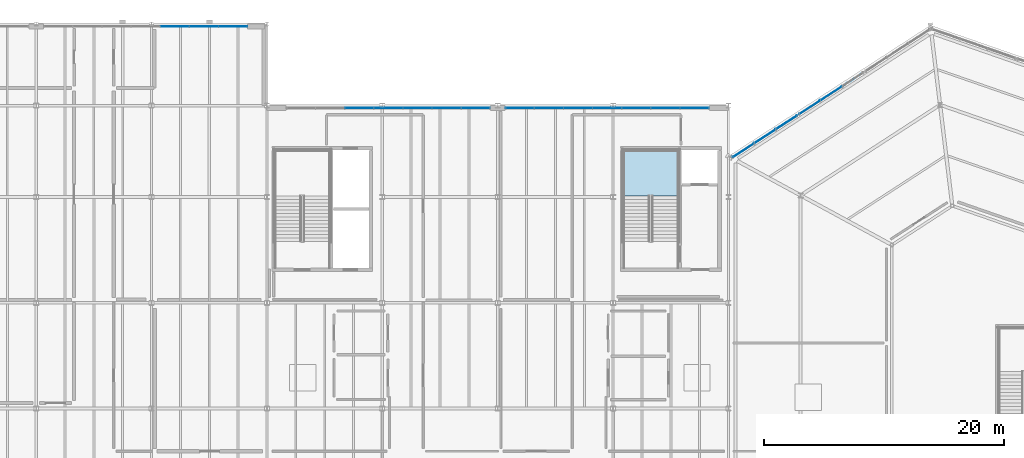
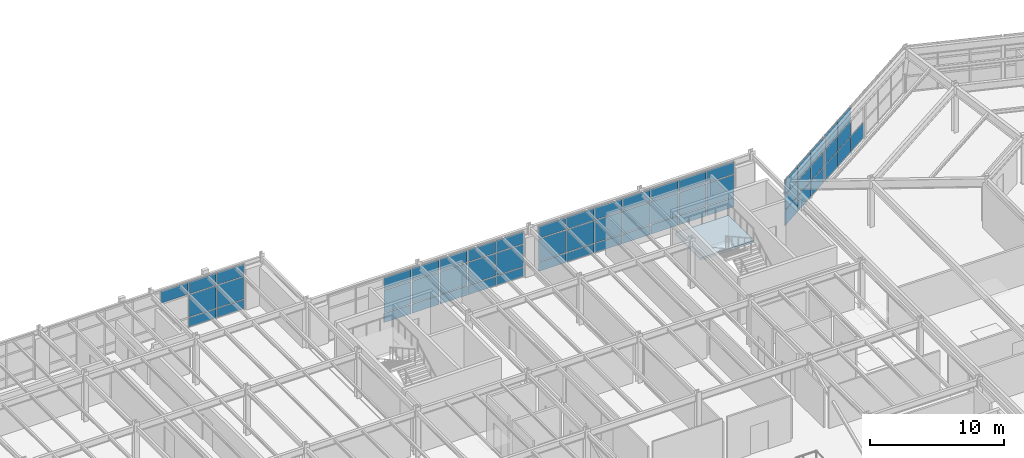
# One storey, part 49 of 77: 59 plates, 1 slab, 6 elements without a shape of their own.
"""IFC4 building model written with IfcOpenShell, lengths in metres."""

import ifcopenshell
import ifcopenshell.guid

model = None  # the IFC model being written
_history = None  # IfcOwnerHistory: only IFC2X3 demands one
_inside = {}  # id of a spatial element -> (the spatial element, [elements in it])
_under = {}  # id of a project, library or spatial element -> (it, [spatial elements below it])
_declared = {}  # id of a project -> (the project, [libraries it declares])
_typed = {}  # id of a type object -> (the type object, [elements of that type])
_made_of = {}  # id of a material, layer set ... -> (it, [elements and type objects made of it])


def new_model(schema):
    """Start an empty IFC model of exactly this schema.

    Asked for "IFC4X3", IfcOpenShell would pick the latest addendum, in which some entities
    have other attributes; the version numbers below select the first issue.
    IFC2X3 requires an IfcOwnerHistory on every rooted entity: one is made here for all.
    """
    global model, _history
    if schema == "IFC4X3":
        model = ifcopenshell.file(schema_version=(4, 3, 0, 0))
    else:
        model = ifcopenshell.file(schema=schema)
    _inside.clear()
    _under.clear()
    _declared.clear()
    _typed.clear()
    _made_of.clear()
    _history = None
    if model.schema == "IFC2X3":
        org = make("IfcOrganization", Name="unknown")
        user = make(
            "IfcPersonAndOrganization",
            ThePerson=make("IfcPerson", FamilyName="unknown"),
            TheOrganization=org,
        )
        app = make(
            "IfcApplication",
            ApplicationDeveloper=org,
            Version="unknown",
            ApplicationFullName="unknown",
            ApplicationIdentifier="unknown",
        )
        _history = make(
            "IfcOwnerHistory",
            OwningUser=user,
            OwningApplication=app,
            ChangeAction="ADDED",
            CreationDate=0,
        )
    return model


def make(cls, **values):
    """One entity of the class cls with the attributes given. An attribute that is None is left unset."""
    return model.create_entity(
        cls, **{name: value for name, value in values.items() if value is not None}
    )


def rooted(cls, **values):
    """An entity with a GlobalId (a new one), such as an element, a storey or a relation."""
    return make(cls, GlobalId=ifcopenshell.guid.new(), OwnerHistory=_history, **values)


def si_unit(unit_type, name, prefix=None):
    """IfcSIUnit, for example si_unit("LENGTHUNIT", "METRE", prefix="MILLI")."""
    return make("IfcSIUnit", UnitType=unit_type, Prefix=prefix, Name=name)


def assignment(units):
    """IfcUnitAssignment: the units of a project."""
    return None if units is None else make("IfcUnitAssignment", Units=units)


def point(xyz):
    """IfcCartesianPoint."""
    return None if xyz is None else make("IfcCartesianPoint", Coordinates=xyz)


def direction(xyz):
    """IfcDirection."""
    return None if xyz is None else make("IfcDirection", DirectionRatios=xyz)


def frame(location, z_axis=None, x_axis=None):
    """IfcAxis2Placement3D, a coordinate frame: its origin and axes. An axis left out is left unset."""
    return make(
        "IfcAxis2Placement3D",
        Location=point(location),
        Axis=direction(z_axis),
        RefDirection=direction(x_axis),
    )


def frame_2d(location, x_axis=None):
    """IfcAxis2Placement2D, a coordinate frame in the plane: its origin and x axis."""
    return make(
        "IfcAxis2Placement2D", Location=point(location), RefDirection=direction(x_axis)
    )


def origin():
    """The frame at (0, 0, 0) with its axes left unset."""
    return frame((0.0, 0.0, 0.0))


def origin_2d():
    """The frame at (0, 0) in the plane with its x axis left unset."""
    return frame_2d((0.0, 0.0))


def place(relative_to, where):
    """IfcLocalPlacement: puts the frame where relative to a parent placement (None: the world)."""
    return make(
        "IfcLocalPlacement", PlacementRelTo=relative_to, RelativePlacement=where
    )


def context(
    kind, dimensions, precision=None, world=None, true_north=None, identifier=None
):
    """IfcGeometricRepresentationContext, for example the 3D "Model" context."""
    return make(
        "IfcGeometricRepresentationContext",
        ContextIdentifier=identifier,
        ContextType=kind,
        CoordinateSpaceDimension=dimensions,
        Precision=precision,
        WorldCoordinateSystem=world,
        TrueNorth=true_north,
    )


def subcontext(parent, identifier, kind, view, scale=None):
    """IfcGeometricRepresentationSubContext, for example "Body" below "Model"."""
    return make(
        "IfcGeometricRepresentationSubContext",
        ContextIdentifier=identifier,
        ContextType=kind,
        ParentContext=parent,
        TargetScale=scale,
        TargetView=view,
    )


def project(units=None, contexts=None):
    """IfcProject with its units and contexts."""
    return rooted(
        "IfcProject",
        Name="project",
        RepresentationContexts=contexts,
        UnitsInContext=assignment(units),
    )


def spatial(cls, under=None, at=None, **own):
    """A site, building, storey or space (cls), placed at a placement, below another one or the project."""
    s = rooted(cls, ObjectPlacement=at, **own)
    if under is not None:
        _under.setdefault(under.id(), (under, []))[1].append(s)
    return s


def polyline(points):
    """IfcPolyline through the points."""
    return make("IfcPolyline", Points=[point(p) for p in points])


def profile(cls, at=None, kind="AREA", **sizes):
    """A parametric profile (cls). Its sizes go by their IFC names, for example OverallWidth=200.0."""
    return make(cls, ProfileType=kind, Position=at, **sizes)


def rectangle(**sizes):
    """IfcRectangleProfileDef."""
    return profile("IfcRectangleProfileDef", **sizes)


def outline(outer, holes=None, kind="AREA"):
    """IfcArbitraryClosedProfileDef: a profile drawn as a closed curve; with holes, ...WithVoids."""
    if holes is None:
        return make("IfcArbitraryClosedProfileDef", ProfileType=kind, OuterCurve=outer)
    return make(
        "IfcArbitraryProfileDefWithVoids",
        ProfileType=kind,
        OuterCurve=outer,
        InnerCurves=holes,
    )


def extrude(swept, where, along, depth):
    """IfcExtrudedAreaSolid: the profile swept, set in the frame where, extruded along a direction by depth."""
    return make(
        "IfcExtrudedAreaSolid",
        SweptArea=swept,
        Position=where,
        ExtrudedDirection=direction(along),
        Depth=depth,
    )


def shape(context_of_items, identifier, shape_type, items):
    """IfcShapeRepresentation: the items that make up one representation, for example the "Body"."""
    return make(
        "IfcShapeRepresentation",
        ContextOfItems=context_of_items,
        RepresentationIdentifier=identifier,
        RepresentationType=shape_type,
        Items=items,
    )


def material(Name=None, Category=None):
    """IfcMaterial."""
    return make("IfcMaterial", Name=Name, Category=Category)


def layer(
    of_material, thickness, ventilated=None, Name=None, Category=None, Priority=None
):
    """IfcMaterialLayer: one layer of a wall or slab, of a material (None: an air gap)."""
    return make(
        "IfcMaterialLayer",
        Material=of_material,
        LayerThickness=thickness,
        IsVentilated=ventilated,
        Name=Name,
        Category=Category,
        Priority=Priority,
    )


def layer_set(layers, Name=None):
    """IfcMaterialLayerSet."""
    return make("IfcMaterialLayerSet", MaterialLayers=layers, LayerSetName=Name)


def made_of(thing, what):
    """Note that an element or type object is made of a material, layer set ...; save() writes the relation."""
    if what is not None:
        _made_of.setdefault(what.id(), (what, []))[1].append(thing)
    return thing


def type_object(cls, material=None, **own):
    """A type object (cls), such as IfcWallType, which elements share."""
    return made_of(rooted(cls, **own), material)


def element(
    cls,
    number,
    at=None,
    inside=None,
    cuts=None,
    type_object=None,
    material=None,
    context=None,
    identifier="Body",
    shape_type=None,
    held_by="IfcProductDefinitionShape",
    body=None,
    shapes=None,
    **own,
):
    """One element of the class cls, such as IfcWall. Its Tag is "e" and its number.

    at: its placement. inside: the storey or other place that contains it. cuts: it is an
    opening in that element (IfcRelVoidsElement). A single representation is given by context,
    identifier, shape_type and body (its items); several are given by shapes. held_by: the class
    of the entity that holds the representations. save() writes the other relations.
    """
    e = rooted(cls, Tag="e%d" % number, ObjectPlacement=at, **own)
    if body is not None:
        shapes = [shape(context, identifier, shape_type, body)]
    if shapes is not None:
        e.Representation = make(held_by, Representations=shapes)
    if inside is not None:
        _inside.setdefault(inside.id(), (inside, []))[1].append(e)
    if cuts is not None:
        rooted(
            "IfcRelVoidsElement", RelatingBuildingElement=cuts, RelatedOpeningElement=e
        )
    if type_object is not None:
        _typed.setdefault(type_object.id(), (type_object, []))[1].append(e)
    return made_of(e, material)


def aggregate(whole, parts):
    """IfcRelAggregates: a whole, such as a stair, and the parts it consists of."""
    return rooted("IfcRelAggregates", RelatingObject=whole, RelatedObjects=parts)


def save(model, path):
    """Write the relations noted so far, then the file.

    IfcRelAggregates (storeys below a building ...), IfcRelContainedInSpatialStructure (elements
    in a storey), IfcRelDefinesByType, IfcRelAssociatesMaterial and IfcRelDeclares: one each for
    every whole, place, type object, material and project.
    """
    for whole, parts in _under.values():
        aggregate(whole, parts)
    for where, things in _inside.values():
        rooted(
            "IfcRelContainedInSpatialStructure",
            RelatedElements=things,
            RelatingStructure=where,
        )
    for kind, things in _typed.values():
        rooted("IfcRelDefinesByType", RelatedObjects=things, RelatingType=kind)
    for what, things in _made_of.values():
        rooted("IfcRelAssociatesMaterial", RelatedObjects=things, RelatingMaterial=what)
    for by, libraries in _declared.values():
        rooted("IfcRelDeclares", RelatingContext=by, RelatedDefinitions=libraries)
    model.write(path)


model = new_model("IFC4")

# Units and contexts
model_context = context("Model", 3, precision=1e-05, world=origin(), true_north=direction((0.0, 1.0)))
body_context = subcontext(model_context, "Body", "Model", "MODEL_VIEW")
ifc_project = project(units=[si_unit("LENGTHUNIT", "METRE"), si_unit("AREAUNIT", "SQUARE_METRE"), si_unit("VOLUMEUNIT", "CUBIC_METRE"), si_unit("PLANEANGLEUNIT", "RADIAN"), si_unit("MASSUNIT", "GRAM", prefix="KILO")], contexts=[model_context])

# Site, building, storey
site_placement = place(None, origin())
site = spatial("IfcSite", under=ifc_project, at=site_placement, CompositionType="ELEMENT")
building_placement = place(site_placement, origin())
building = spatial("IfcBuilding", under=site, at=building_placement, Name="Sarnbrook Museum", CompositionType="ELEMENT")
storey_placement = place(building_placement, frame((0.0, 0.0, 5.60009765625)))
storey = spatial("IfcBuildingStorey", under=building, at=storey_placement, Name="L01", CompositionType="ELEMENT", Elevation=5.60009765625)

# Curtain wall, plates
ifc_material_1 = material(Name="Thermally Broken Anodised Aluminium 6063-T6", Category="aluminium")
curtain_wall_type_1 = type_object("IfcCurtainWallType", Name="CurtainWall_CrystalFacet", PredefinedType="NOTDEFINED", material=ifc_material_1)
curtain_wall_1_placement = place(storey_placement, origin())
curtain_wall_1 = element("IfcCurtainWall", 1, at=curtain_wall_1_placement, inside=storey, type_object=curtain_wall_type_1, Name="Crystal Hall Facet Curtain Wall L01-F6.2", PredefinedType="NOTDEFINED")
ifc_material_2 = material(Name="Double-Glazed Low-Iron Laminated Safety Glass", Category="glass")
ifc_layer_1 = layer(ifc_material_2, 0.031982421875)
ifc_layer_set_1 = layer_set([ifc_layer_1], Name="Double-Glazed Low-Iron Laminated Safety Glass")
plate_type_1 = type_object("IfcPlateType", Name="CW_GlazedPanel_32", PredefinedType="CURTAIN_PANEL", material=ifc_layer_set_1)
plate_1_placement = place(storey_placement, frame((127.7626953125, 109.413330078125, 2.14990234375), z_axis=(-0.544286708272, 0.838899266419, 0.0), x_axis=(-0.838899266419, -0.544286708272, 0.0)))
plate_1 = element("IfcPlate", 2, at=plate_1_placement, type_object=plate_type_1, Name="Crystal Hall Facet Curtain Wall L01-F6.2 Glazed Panel 2-2", PredefinedType="CURTAIN_PANEL", context=body_context, shape_type="SweptSolid", body=[
    extrude(rectangle(XDim=2.064697265625, YDim=1.330078125, at=origin_2d()), origin(), (0.0, 0.0, 1.0), 0.031982421875),
])
plate_2_placement = place(storey_placement, frame((127.7626953125, 109.413330078125, 3.544921875), z_axis=(-0.544286708272, 0.838899266419, 0.0), x_axis=(-0.838899266419, -0.544286708272, 0.0)))
plate_2 = element("IfcPlate", 3, at=plate_2_placement, type_object=plate_type_1, Name="Crystal Hall Facet Curtain Wall L01-F6.2 Glazed Panel 2-3", PredefinedType="CURTAIN_PANEL", context=body_context, shape_type="SweptSolid", body=[
    extrude(rectangle(XDim=2.064697265625, YDim=1.320068359375, at=origin_2d()), origin(), (0.0, 0.0, 1.0), 0.031982421875),
])
plate_3_placement = place(storey_placement, frame((125.967529296875, 108.248779296875, 2.14990234375), z_axis=(-0.544286708272, 0.838899266419, 0.0), x_axis=(-0.838899266419, -0.544286708272, 0.0)))
plate_3 = element("IfcPlate", 4, at=plate_3_placement, type_object=plate_type_1, Name="Crystal Hall Facet Curtain Wall L01-F6.2 Glazed Panel 3-2", PredefinedType="CURTAIN_PANEL", context=body_context, shape_type="SweptSolid", body=[
    extrude(rectangle(XDim=2.064697265625, YDim=1.330078125, at=origin_2d()), origin(), (0.0, 0.0, 1.0), 0.031982421875),
])
plate_4_placement = place(storey_placement, frame((125.967529296875, 108.248779296875, 3.544921875), z_axis=(-0.544286708272, 0.838899266419, 0.0), x_axis=(-0.838899266419, -0.544286708272, 0.0)))
plate_4 = element("IfcPlate", 5, at=plate_4_placement, type_object=plate_type_1, Name="Crystal Hall Facet Curtain Wall L01-F6.2 Glazed Panel 3-3", PredefinedType="CURTAIN_PANEL", context=body_context, shape_type="SweptSolid", body=[
    extrude(rectangle(XDim=2.064697265625, YDim=1.320068359375, at=origin_2d()), origin(), (0.0, 0.0, 1.0), 0.031982421875),
])

curtain_wall_2_placement = place(storey_placement, origin())
curtain_wall_2 = element("IfcCurtainWall", 6, at=curtain_wall_2_placement, inside=storey, type_object=curtain_wall_type_1, Name="Crystal Hall Facet Curtain Wall L01-F6.3", PredefinedType="NOTDEFINED")
plate_5_placement = place(storey_placement, frame((124.038330078125, 106.996826171875, 2.14990234375), z_axis=(-0.544286708272, 0.838899266419, 0.0), x_axis=(-0.838899266419, -0.544286708272, 0.0)))
plate_5 = element("IfcPlate", 7, at=plate_5_placement, type_object=plate_type_1, Name="Crystal Hall Facet Curtain Wall L01-F6.3 Glazed Panel 1-2", PredefinedType="CURTAIN_PANEL", context=body_context, shape_type="SweptSolid", body=[
    extrude(rectangle(XDim=2.064697265625, YDim=1.330078125, at=origin_2d()), origin(), (0.0, 0.0, 1.0), 0.031982421875),
])
plate_6_placement = place(storey_placement, frame((124.038330078125, 106.996826171875, 3.544921875), z_axis=(-0.544286708272, 0.838899266419, 0.0), x_axis=(-0.838899266419, -0.544286708272, 0.0)))
plate_6 = element("IfcPlate", 8, at=plate_6_placement, type_object=plate_type_1, Name="Crystal Hall Facet Curtain Wall L01-F6.3 Glazed Panel 1-3", PredefinedType="CURTAIN_PANEL", context=body_context, shape_type="SweptSolid", body=[
    extrude(rectangle(XDim=2.064697265625, YDim=1.320068359375, at=origin_2d()), origin(), (0.0, 0.0, 1.0), 0.031982421875),
])
plate_7_placement = place(storey_placement, frame((122.243408203125, 105.832275390625, 2.14990234375), z_axis=(-0.544286708272, 0.838899266419, 0.0), x_axis=(-0.838899266419, -0.544286708272, 0.0)))
plate_7 = element("IfcPlate", 9, at=plate_7_placement, type_object=plate_type_1, Name="Crystal Hall Facet Curtain Wall L01-F6.3 Glazed Panel 2-2", PredefinedType="CURTAIN_PANEL", context=body_context, shape_type="SweptSolid", body=[
    extrude(rectangle(XDim=2.064697265625, YDim=1.330078125, at=origin_2d()), origin(), (0.0, 0.0, 1.0), 0.031982421875),
])
plate_8_placement = place(storey_placement, frame((122.243408203125, 105.832275390625, 3.544921875), z_axis=(-0.544286708272, 0.838899266419, 0.0), x_axis=(-0.838899266419, -0.544286708272, 0.0)))
plate_8 = element("IfcPlate", 10, at=plate_8_placement, type_object=plate_type_1, Name="Crystal Hall Facet Curtain Wall L01-F6.3 Glazed Panel 2-3", PredefinedType="CURTAIN_PANEL", context=body_context, shape_type="SweptSolid", body=[
    extrude(rectangle(XDim=2.064697265625, YDim=1.320068359375, at=origin_2d()), origin(), (0.0, 0.0, 1.0), 0.031982421875),
])
plate_9_placement = place(storey_placement, frame((120.4482421875, 104.66748046875, 2.14990234375), z_axis=(-0.544286708272, 0.838899266419, 0.0), x_axis=(-0.838899266419, -0.544286708272, 0.0)))
plate_9 = element("IfcPlate", 11, at=plate_9_placement, type_object=plate_type_1, Name="Crystal Hall Facet Curtain Wall L01-F6.3 Glazed Panel 3-2", PredefinedType="CURTAIN_PANEL", context=body_context, shape_type="SweptSolid", body=[
    extrude(rectangle(XDim=2.064697265625, YDim=1.330078125, at=origin_2d()), origin(), (0.0, 0.0, 1.0), 0.031982421875),
])
plate_10_placement = place(storey_placement, frame((120.4482421875, 104.66748046875, 3.544921875), z_axis=(-0.544286708272, 0.838899266419, 0.0), x_axis=(-0.838899266419, -0.544286708272, 0.0)))
plate_10 = element("IfcPlate", 12, at=plate_10_placement, type_object=plate_type_1, Name="Crystal Hall Facet Curtain Wall L01-F6.3 Glazed Panel 3-3", PredefinedType="CURTAIN_PANEL", context=body_context, shape_type="SweptSolid", body=[
    extrude(rectangle(XDim=2.064697265625, YDim=1.320068359375, at=origin_2d()), origin(), (0.0, 0.0, 1.0), 0.031982421875),
])

curtain_wall_type_2 = type_object("IfcCurtainWallType", Name="CurtainWall_GalleryRibbon", PredefinedType="NOTDEFINED", material=ifc_material_1)
curtain_wall_3_placement = place(storey_placement, origin())
curtain_wall_3 = element("IfcCurtainWall", 13, at=curtain_wall_3_placement, inside=storey, type_object=curtain_wall_type_2, Name="Gallery Ribbon Curtain Wall L01-6.1", PredefinedType="NOTDEFINED")
plate_11_placement = place(storey_placement, frame((116.36865234375, 108.18212890625, 1.949951171875), z_axis=(0.0, 1.0, 0.0), x_axis=(-1.0, 0.0, 0.0)))
plate_11 = element("IfcPlate", 14, at=plate_11_placement, type_object=plate_type_1, Name="Gallery Ribbon Curtain Wall L01-6.1 Glazed Panel 1-2", PredefinedType="CURTAIN_PANEL", context=body_context, shape_type="SweptSolid", body=[
    extrude(rectangle(XDim=2.347900390625, YDim=2.030029296875, at=origin_2d()), origin(), (0.0, 0.0, 1.0), 0.031982421875),
])
plate_12_placement = place(storey_placement, frame((116.36865234375, 108.18212890625, 3.579833984375), z_axis=(0.0, 1.0, 0.0), x_axis=(-1.0, 0.0, 0.0)))
plate_12 = element("IfcPlate", 15, at=plate_12_placement, type_object=plate_type_1, Name="Gallery Ribbon Curtain Wall L01-6.1 Glazed Panel 1-3", PredefinedType="CURTAIN_PANEL", context=body_context, shape_type="SweptSolid", body=[
    extrude(rectangle(XDim=2.347900390625, YDim=1.090087890625, at=origin_2d()), origin(), (0.0, 0.0, 1.0), 0.031982421875),
])
plate_13_placement = place(storey_placement, frame((113.94580078125, 108.18212890625, 1.949951171875), z_axis=(0.0, 1.0, 0.0), x_axis=(-1.0, 0.0, 0.0)))
plate_13 = element("IfcPlate", 16, at=plate_13_placement, type_object=plate_type_1, Name="Gallery Ribbon Curtain Wall L01-6.1 Glazed Panel 2-2", PredefinedType="CURTAIN_PANEL", context=body_context, shape_type="SweptSolid", body=[
    extrude(rectangle(XDim=2.347900390625, YDim=2.030029296875, at=origin_2d()), origin(), (0.0, 0.0, 1.0), 0.031982421875),
])
plate_14_placement = place(storey_placement, frame((113.94580078125, 108.18212890625, 3.579833984375), z_axis=(0.0, 1.0, 0.0), x_axis=(-1.0, 0.0, 0.0)))
plate_14 = element("IfcPlate", 17, at=plate_14_placement, type_object=plate_type_1, Name="Gallery Ribbon Curtain Wall L01-6.1 Glazed Panel 2-3", PredefinedType="CURTAIN_PANEL", context=body_context, shape_type="SweptSolid", body=[
    extrude(rectangle(XDim=2.347900390625, YDim=1.090087890625, at=origin_2d()), origin(), (0.0, 0.0, 1.0), 0.031982421875),
])
plate_15_placement = place(storey_placement, frame((111.52294921875, 108.18212890625, 1.949951171875), z_axis=(0.0, 1.0, 0.0), x_axis=(-1.0, 0.0, 0.0)))
plate_15 = element("IfcPlate", 18, at=plate_15_placement, type_object=plate_type_1, Name="Gallery Ribbon Curtain Wall L01-6.1 Glazed Panel 3-2", PredefinedType="CURTAIN_PANEL", context=body_context, shape_type="SweptSolid", body=[
    extrude(rectangle(XDim=2.347900390625, YDim=2.030029296875, at=origin_2d()), origin(), (0.0, 0.0, 1.0), 0.031982421875),
])
plate_16_placement = place(storey_placement, frame((111.52294921875, 108.18212890625, 3.579833984375), z_axis=(0.0, 1.0, 0.0), x_axis=(-1.0, 0.0, 0.0)))
plate_16 = element("IfcPlate", 19, at=plate_16_placement, type_object=plate_type_1, Name="Gallery Ribbon Curtain Wall L01-6.1 Glazed Panel 3-3", PredefinedType="CURTAIN_PANEL", context=body_context, shape_type="SweptSolid", body=[
    extrude(rectangle(XDim=2.347900390625, YDim=1.090087890625, at=origin_2d()), origin(), (0.0, 0.0, 1.0), 0.031982421875),
])
plate_17_placement = place(storey_placement, frame((109.10009765625, 108.18212890625, 1.949951171875), z_axis=(0.0, 1.0, 0.0), x_axis=(-1.0, 0.0, 0.0)))
plate_17 = element("IfcPlate", 20, at=plate_17_placement, type_object=plate_type_1, Name="Gallery Ribbon Curtain Wall L01-6.1 Glazed Panel 4-2", PredefinedType="CURTAIN_PANEL", context=body_context, shape_type="SweptSolid", body=[
    extrude(rectangle(XDim=2.347900390625, YDim=2.030029296875, at=origin_2d()), origin(), (0.0, 0.0, 1.0), 0.031982421875),
])
plate_18_placement = place(storey_placement, frame((109.10009765625, 108.18212890625, 3.579833984375), z_axis=(0.0, 1.0, 0.0), x_axis=(-1.0, 0.0, 0.0)))
plate_18 = element("IfcPlate", 21, at=plate_18_placement, type_object=plate_type_1, Name="Gallery Ribbon Curtain Wall L01-6.1 Glazed Panel 4-3", PredefinedType="CURTAIN_PANEL", context=body_context, shape_type="SweptSolid", body=[
    extrude(rectangle(XDim=2.347900390625, YDim=1.090087890625, at=origin_2d()), origin(), (0.0, 0.0, 1.0), 0.031982421875),
])
plate_19_placement = place(storey_placement, frame((106.677001953125, 108.18212890625, 1.949951171875), z_axis=(0.0, 1.0, 0.0), x_axis=(-1.0, 0.0, 0.0)))
plate_19 = element("IfcPlate", 22, at=plate_19_placement, type_object=plate_type_1, Name="Gallery Ribbon Curtain Wall L01-6.1 Glazed Panel 5-2", PredefinedType="CURTAIN_PANEL", context=body_context, shape_type="SweptSolid", body=[
    extrude(rectangle(XDim=2.347900390625, YDim=2.030029296875, at=origin_2d()), origin(), (0.0, 0.0, 1.0), 0.031982421875),
])
plate_20_placement = place(storey_placement, frame((106.677001953125, 108.18212890625, 3.579833984375), z_axis=(0.0, 1.0, 0.0), x_axis=(-1.0, 0.0, 0.0)))
plate_20 = element("IfcPlate", 23, at=plate_20_placement, type_object=plate_type_1, Name="Gallery Ribbon Curtain Wall L01-6.1 Glazed Panel 5-3", PredefinedType="CURTAIN_PANEL", context=body_context, shape_type="SweptSolid", body=[
    extrude(rectangle(XDim=2.347900390625, YDim=1.090087890625, at=origin_2d()), origin(), (0.0, 0.0, 1.0), 0.031982421875),
])
plate_21_placement = place(storey_placement, frame((104.25439453125, 108.18212890625, 1.949951171875), z_axis=(0.0, 1.0, 0.0), x_axis=(-1.0, 0.0, 0.0)))
plate_21 = element("IfcPlate", 24, at=plate_21_placement, type_object=plate_type_1, Name="Gallery Ribbon Curtain Wall L01-6.1 Glazed Panel 6-2", PredefinedType="CURTAIN_PANEL", context=body_context, shape_type="SweptSolid", body=[
    extrude(rectangle(XDim=2.347900390625, YDim=2.030029296875, at=origin_2d()), origin(), (0.0, 0.0, 1.0), 0.031982421875),
])
plate_22_placement = place(storey_placement, frame((104.25439453125, 108.18212890625, 3.579833984375), z_axis=(0.0, 1.0, 0.0), x_axis=(-1.0, 0.0, 0.0)))
plate_22 = element("IfcPlate", 25, at=plate_22_placement, type_object=plate_type_1, Name="Gallery Ribbon Curtain Wall L01-6.1 Glazed Panel 6-3", PredefinedType="CURTAIN_PANEL", context=body_context, shape_type="SweptSolid", body=[
    extrude(rectangle(XDim=2.347900390625, YDim=1.090087890625, at=origin_2d()), origin(), (0.0, 0.0, 1.0), 0.031982421875),
])
plate_23_placement = place(storey_placement, frame((101.831298828125, 108.18212890625, 1.949951171875), z_axis=(0.0, 1.0, 0.0), x_axis=(-1.0, 0.0, 0.0)))
plate_23 = element("IfcPlate", 26, at=plate_23_placement, type_object=plate_type_1, Name="Gallery Ribbon Curtain Wall L01-6.1 Glazed Panel 7-2", PredefinedType="CURTAIN_PANEL", context=body_context, shape_type="SweptSolid", body=[
    extrude(rectangle(XDim=2.347900390625, YDim=2.030029296875, at=origin_2d()), origin(), (0.0, 0.0, 1.0), 0.031982421875),
])
plate_24_placement = place(storey_placement, frame((101.831298828125, 108.18212890625, 3.579833984375), z_axis=(0.0, 1.0, 0.0), x_axis=(-1.0, 0.0, 0.0)))
plate_24 = element("IfcPlate", 27, at=plate_24_placement, type_object=plate_type_1, Name="Gallery Ribbon Curtain Wall L01-6.1 Glazed Panel 7-3", PredefinedType="CURTAIN_PANEL", context=body_context, shape_type="SweptSolid", body=[
    extrude(rectangle(XDim=2.347900390625, YDim=1.090087890625, at=origin_2d()), origin(), (0.0, 0.0, 1.0), 0.031982421875),
])

curtain_wall_4_placement = place(storey_placement, origin())
curtain_wall_4 = element("IfcCurtainWall", 28, at=curtain_wall_4_placement, inside=storey, type_object=curtain_wall_type_2, Name="Gallery Ribbon Curtain Wall L01-6.2", PredefinedType="NOTDEFINED")
plate_25_placement = place(storey_placement, frame((98.168701171875, 108.18212890625, 1.949951171875), z_axis=(0.0, 1.0, 0.0), x_axis=(-1.0, 0.0, 0.0)))
plate_25 = element("IfcPlate", 29, at=plate_25_placement, type_object=plate_type_1, Name="Gallery Ribbon Curtain Wall L01-6.2 Glazed Panel 1-2", PredefinedType="CURTAIN_PANEL", context=body_context, shape_type="SweptSolid", body=[
    extrude(rectangle(XDim=2.347900390625, YDim=2.030029296875, at=origin_2d()), origin(), (0.0, 0.0, 1.0), 0.031982421875),
])
plate_26_placement = place(storey_placement, frame((98.168701171875, 108.18212890625, 3.579833984375), z_axis=(0.0, 1.0, 0.0), x_axis=(-1.0, 0.0, 0.0)))
plate_26 = element("IfcPlate", 30, at=plate_26_placement, type_object=plate_type_1, Name="Gallery Ribbon Curtain Wall L01-6.2 Glazed Panel 1-3", PredefinedType="CURTAIN_PANEL", context=body_context, shape_type="SweptSolid", body=[
    extrude(rectangle(XDim=2.347900390625, YDim=1.090087890625, at=origin_2d()), origin(), (0.0, 0.0, 1.0), 0.031982421875),
])
plate_27_placement = place(storey_placement, frame((95.74560546875, 108.18212890625, 1.949951171875), z_axis=(0.0, 1.0, 0.0), x_axis=(-1.0, 0.0, 0.0)))
plate_27 = element("IfcPlate", 31, at=plate_27_placement, type_object=plate_type_1, Name="Gallery Ribbon Curtain Wall L01-6.2 Glazed Panel 2-2", PredefinedType="CURTAIN_PANEL", context=body_context, shape_type="SweptSolid", body=[
    extrude(rectangle(XDim=2.347900390625, YDim=2.030029296875, at=origin_2d()), origin(), (0.0, 0.0, 1.0), 0.031982421875),
])
plate_28_placement = place(storey_placement, frame((95.74560546875, 108.18212890625, 3.579833984375), z_axis=(0.0, 1.0, 0.0), x_axis=(-1.0, 0.0, 0.0)))
plate_28 = element("IfcPlate", 32, at=plate_28_placement, type_object=plate_type_1, Name="Gallery Ribbon Curtain Wall L01-6.2 Glazed Panel 2-3", PredefinedType="CURTAIN_PANEL", context=body_context, shape_type="SweptSolid", body=[
    extrude(rectangle(XDim=2.347900390625, YDim=1.090087890625, at=origin_2d()), origin(), (0.0, 0.0, 1.0), 0.031982421875),
])
plate_29_placement = place(storey_placement, frame((93.322998046875, 108.18212890625, 1.949951171875), z_axis=(0.0, 1.0, 0.0), x_axis=(-1.0, 0.0, 0.0)))
plate_29 = element("IfcPlate", 33, at=plate_29_placement, type_object=plate_type_1, Name="Gallery Ribbon Curtain Wall L01-6.2 Glazed Panel 3-2", PredefinedType="CURTAIN_PANEL", context=body_context, shape_type="SweptSolid", body=[
    extrude(rectangle(XDim=2.347900390625, YDim=2.030029296875, at=origin_2d()), origin(), (0.0, 0.0, 1.0), 0.031982421875),
])
plate_30_placement = place(storey_placement, frame((93.322998046875, 108.18212890625, 3.579833984375), z_axis=(0.0, 1.0, 0.0), x_axis=(-1.0, 0.0, 0.0)))
plate_30 = element("IfcPlate", 34, at=plate_30_placement, type_object=plate_type_1, Name="Gallery Ribbon Curtain Wall L01-6.2 Glazed Panel 3-3", PredefinedType="CURTAIN_PANEL", context=body_context, shape_type="SweptSolid", body=[
    extrude(rectangle(XDim=2.347900390625, YDim=1.090087890625, at=origin_2d()), origin(), (0.0, 0.0, 1.0), 0.031982421875),
])
plate_31_placement = place(storey_placement, frame((90.89990234375, 108.18212890625, 1.949951171875), z_axis=(0.0, 1.0, 0.0), x_axis=(-1.0, 0.0, 0.0)))
plate_31 = element("IfcPlate", 35, at=plate_31_placement, type_object=plate_type_1, Name="Gallery Ribbon Curtain Wall L01-6.2 Glazed Panel 4-2", PredefinedType="CURTAIN_PANEL", context=body_context, shape_type="SweptSolid", body=[
    extrude(rectangle(XDim=2.347900390625, YDim=2.030029296875, at=origin_2d()), origin(), (0.0, 0.0, 1.0), 0.031982421875),
])
plate_32_placement = place(storey_placement, frame((90.89990234375, 108.18212890625, 3.579833984375), z_axis=(0.0, 1.0, 0.0), x_axis=(-1.0, 0.0, 0.0)))
plate_32 = element("IfcPlate", 36, at=plate_32_placement, type_object=plate_type_1, Name="Gallery Ribbon Curtain Wall L01-6.2 Glazed Panel 4-3", PredefinedType="CURTAIN_PANEL", context=body_context, shape_type="SweptSolid", body=[
    extrude(rectangle(XDim=2.347900390625, YDim=1.090087890625, at=origin_2d()), origin(), (0.0, 0.0, 1.0), 0.031982421875),
])
plate_33_placement = place(storey_placement, frame((88.47705078125, 108.18212890625, 1.949951171875), z_axis=(0.0, 1.0, 0.0), x_axis=(-1.0, 0.0, 0.0)))
plate_33 = element("IfcPlate", 37, at=plate_33_placement, type_object=plate_type_1, Name="Gallery Ribbon Curtain Wall L01-6.2 Glazed Panel 5-2", PredefinedType="CURTAIN_PANEL", context=body_context, shape_type="SweptSolid", body=[
    extrude(rectangle(XDim=2.347900390625, YDim=2.030029296875, at=origin_2d()), origin(), (0.0, 0.0, 1.0), 0.031982421875),
])
plate_34_placement = place(storey_placement, frame((88.47705078125, 108.18212890625, 3.579833984375), z_axis=(0.0, 1.0, 0.0), x_axis=(-1.0, 0.0, 0.0)))
plate_34 = element("IfcPlate", 38, at=plate_34_placement, type_object=plate_type_1, Name="Gallery Ribbon Curtain Wall L01-6.2 Glazed Panel 5-3", PredefinedType="CURTAIN_PANEL", context=body_context, shape_type="SweptSolid", body=[
    extrude(rectangle(XDim=2.347900390625, YDim=1.090087890625, at=origin_2d()), origin(), (0.0, 0.0, 1.0), 0.031982421875),
])

curtain_wall_5_placement = place(storey_placement, origin())
curtain_wall_5 = element("IfcCurtainWall", 39, at=curtain_wall_5_placement, inside=storey, type_object=curtain_wall_type_2, Name="Gallery Ribbon Curtain Wall L01-8.1", PredefinedType="NOTDEFINED")
plate_35_placement = place(storey_placement, frame((77.968505859375, 114.98193359375, 1.949951171875), z_axis=(0.0, 1.0, 0.0), x_axis=(-1.0, 0.0, 0.0)))
plate_35 = element("IfcPlate", 40, at=plate_35_placement, type_object=plate_type_1, Name="Gallery Ribbon Curtain Wall L01-8.1 Glazed Panel 1-2", PredefinedType="CURTAIN_PANEL", context=body_context, shape_type="SweptSolid", body=[
    extrude(rectangle(XDim=2.347900390625, YDim=2.030029296875, at=origin_2d()), origin(), (0.0, 0.0, 1.0), 0.031982421875),
])
plate_36_placement = place(storey_placement, frame((77.968505859375, 114.98193359375, 3.579833984375), z_axis=(0.0, 1.0, 0.0), x_axis=(-1.0, 0.0, 0.0)))
plate_36 = element("IfcPlate", 41, at=plate_36_placement, type_object=plate_type_1, Name="Gallery Ribbon Curtain Wall L01-8.1 Glazed Panel 1-3", PredefinedType="CURTAIN_PANEL", context=body_context, shape_type="SweptSolid", body=[
    extrude(rectangle(XDim=2.347900390625, YDim=1.090087890625, at=origin_2d()), origin(), (0.0, 0.0, 1.0), 0.031982421875),
])
plate_37_placement = place(storey_placement, frame((75.545654296875, 114.98193359375, 1.949951171875), z_axis=(0.0, 1.0, 0.0), x_axis=(-1.0, 0.0, 0.0)))
plate_37 = element("IfcPlate", 42, at=plate_37_placement, type_object=plate_type_1, Name="Gallery Ribbon Curtain Wall L01-8.1 Glazed Panel 2-2", PredefinedType="CURTAIN_PANEL", context=body_context, shape_type="SweptSolid", body=[
    extrude(rectangle(XDim=2.347900390625, YDim=2.030029296875, at=origin_2d()), origin(), (0.0, 0.0, 1.0), 0.031982421875),
])
plate_38_placement = place(storey_placement, frame((75.545654296875, 114.98193359375, 3.579833984375), z_axis=(0.0, 1.0, 0.0), x_axis=(-1.0, 0.0, 0.0)))
plate_38 = element("IfcPlate", 43, at=plate_38_placement, type_object=plate_type_1, Name="Gallery Ribbon Curtain Wall L01-8.1 Glazed Panel 2-3", PredefinedType="CURTAIN_PANEL", context=body_context, shape_type="SweptSolid", body=[
    extrude(rectangle(XDim=2.347900390625, YDim=1.090087890625, at=origin_2d()), origin(), (0.0, 0.0, 1.0), 0.031982421875),
])
plate_39_placement = place(storey_placement, frame((73.122802734375, 114.98193359375, 3.579833984375), z_axis=(0.0, 1.0, 0.0), x_axis=(-1.0, 0.0, 0.0)))
plate_39 = element("IfcPlate", 44, at=plate_39_placement, type_object=plate_type_1, Name="Gallery Ribbon Curtain Wall L01-8.1 Glazed Panel 3-3", PredefinedType="CURTAIN_PANEL", context=body_context, shape_type="SweptSolid", body=[
    extrude(rectangle(XDim=2.347900390625, YDim=1.090087890625, at=origin_2d()), origin(), (0.0, 0.0, 1.0), 0.031982421875),
])

# Plate
ifc_material_3 = material(Name="Patinated Architectural Bronze")
ifc_layer_2 = layer(ifc_material_3, 0.044921875)
ifc_layer_set_2 = layer_set([ifc_layer_2], Name="Patinated Architectural Bronze")
plate_type_2 = type_object("IfcPlateType", Name="CW_SpandrelPanel_45", PredefinedType="CURTAIN_PANEL", material=ifc_layer_set_2)
plate_40_placement = place(storey_placement, frame((129.561279296875, 110.572509765625, 0.724853515625), z_axis=(-0.544286708272, 0.838899266419, 0.0), x_axis=(-0.838899266419, -0.544286708272, 0.0)))
plate_40 = element("IfcPlate", 45, at=plate_40_placement, type_object=plate_type_2, Name="Crystal Hall Facet Curtain Wall L01-F6.2 Spandrel Panel 1-1", PredefinedType="CURTAIN_PANEL", context=body_context, shape_type="SweptSolid", body=[
    extrude(rectangle(XDim=2.064697265625, YDim=1.3798828125, at=origin_2d()), origin(), (0.0, 0.0, 1.0), 0.044921875),
])

plate_41_placement = place(storey_placement, frame((127.76611328125, 109.407958984375, 0.724853515625), z_axis=(-0.544286708272, 0.838899266419, 0.0), x_axis=(-0.838899266419, -0.544286708272, 0.0)))
plate_41 = element("IfcPlate", 46, at=plate_41_placement, type_object=plate_type_2, Name="Crystal Hall Facet Curtain Wall L01-F6.2 Spandrel Panel 2-1", PredefinedType="CURTAIN_PANEL", context=body_context, shape_type="SweptSolid", body=[
    extrude(rectangle(XDim=2.064697265625, YDim=1.3798828125, at=origin_2d()), origin(), (0.0, 0.0, 1.0), 0.044921875),
])

plate_42_placement = place(storey_placement, frame((125.970947265625, 108.243408203125, 0.724853515625), z_axis=(-0.544286708272, 0.838899266419, 0.0), x_axis=(-0.838899266419, -0.544286708272, 0.0)))
plate_42 = element("IfcPlate", 47, at=plate_42_placement, type_object=plate_type_2, Name="Crystal Hall Facet Curtain Wall L01-F6.2 Spandrel Panel 3-1", PredefinedType="CURTAIN_PANEL", context=body_context, shape_type="SweptSolid", body=[
    extrude(rectangle(XDim=2.064697265625, YDim=1.3798828125, at=origin_2d()), origin(), (0.0, 0.0, 1.0), 0.044921875),
])

aggregate(curtain_wall_1, [plate_40, plate_41, plate_1, plate_2, plate_42, plate_3, plate_4])

plate_43_placement = place(storey_placement, frame((124.041748046875, 106.991455078125, 0.724853515625), z_axis=(-0.544286708272, 0.838899266419, 0.0), x_axis=(-0.838899266419, -0.544286708272, 0.0)))
plate_43 = element("IfcPlate", 48, at=plate_43_placement, type_object=plate_type_2, Name="Crystal Hall Facet Curtain Wall L01-F6.3 Spandrel Panel 1-1", PredefinedType="CURTAIN_PANEL", context=body_context, shape_type="SweptSolid", body=[
    extrude(rectangle(XDim=2.064697265625, YDim=1.3798828125, at=origin_2d()), origin(), (0.0, 0.0, 1.0), 0.044921875),
])

plate_44_placement = place(storey_placement, frame((122.246826171875, 105.826904296875, 0.724853515625), z_axis=(-0.544286708272, 0.838899266419, 0.0), x_axis=(-0.838899266419, -0.544286708272, 0.0)))
plate_44 = element("IfcPlate", 49, at=plate_44_placement, type_object=plate_type_2, Name="Crystal Hall Facet Curtain Wall L01-F6.3 Spandrel Panel 2-1", PredefinedType="CURTAIN_PANEL", context=body_context, shape_type="SweptSolid", body=[
    extrude(rectangle(XDim=2.064697265625, YDim=1.3798828125, at=origin_2d()), origin(), (0.0, 0.0, 1.0), 0.044921875),
])

plate_45_placement = place(storey_placement, frame((120.45166015625, 104.662109375, 0.724853515625), z_axis=(-0.544286708272, 0.838899266419, 0.0), x_axis=(-0.838899266419, -0.544286708272, 0.0)))
plate_45 = element("IfcPlate", 50, at=plate_45_placement, type_object=plate_type_2, Name="Crystal Hall Facet Curtain Wall L01-F6.3 Spandrel Panel 3-1", PredefinedType="CURTAIN_PANEL", context=body_context, shape_type="SweptSolid", body=[
    extrude(rectangle(XDim=2.064697265625, YDim=1.3798828125, at=origin_2d()), origin(), (0.0, 0.0, 1.0), 0.044921875),
])

aggregate(curtain_wall_2, [plate_43, plate_5, plate_6, plate_44, plate_7, plate_8, plate_45, plate_9, plate_10])

plate_46_placement = place(storey_placement, frame((116.36865234375, 108.175537109375, 0.449951171875), z_axis=(0.0, 1.0, 0.0), x_axis=(-1.0, 0.0, 0.0)))
plate_46 = element("IfcPlate", 51, at=plate_46_placement, type_object=plate_type_2, Name="Gallery Ribbon Curtain Wall L01-6.1 Spandrel Panel 1-1", PredefinedType="CURTAIN_PANEL", context=body_context, shape_type="SweptSolid", body=[
    extrude(rectangle(XDim=2.347900390625, YDim=0.830078125, at=origin_2d()), origin(), (0.0, 0.0, 1.0), 0.044921875),
])

plate_47_placement = place(storey_placement, frame((113.94580078125, 108.175537109375, 0.449951171875), z_axis=(0.0, 1.0, 0.0), x_axis=(-1.0, 0.0, 0.0)))
plate_47 = element("IfcPlate", 52, at=plate_47_placement, type_object=plate_type_2, Name="Gallery Ribbon Curtain Wall L01-6.1 Spandrel Panel 2-1", PredefinedType="CURTAIN_PANEL", context=body_context, shape_type="SweptSolid", body=[
    extrude(rectangle(XDim=2.347900390625, YDim=0.830078125, at=origin_2d()), origin(), (0.0, 0.0, 1.0), 0.044921875),
])

plate_48_placement = place(storey_placement, frame((111.52294921875, 108.175537109375, 0.449951171875), z_axis=(0.0, 1.0, 0.0), x_axis=(-1.0, 0.0, 0.0)))
plate_48 = element("IfcPlate", 53, at=plate_48_placement, type_object=plate_type_2, Name="Gallery Ribbon Curtain Wall L01-6.1 Spandrel Panel 3-1", PredefinedType="CURTAIN_PANEL", context=body_context, shape_type="SweptSolid", body=[
    extrude(rectangle(XDim=2.347900390625, YDim=0.830078125, at=origin_2d()), origin(), (0.0, 0.0, 1.0), 0.044921875),
])

plate_49_placement = place(storey_placement, frame((109.10009765625, 108.175537109375, 0.449951171875), z_axis=(0.0, 1.0, 0.0), x_axis=(-1.0, 0.0, 0.0)))
plate_49 = element("IfcPlate", 54, at=plate_49_placement, type_object=plate_type_2, Name="Gallery Ribbon Curtain Wall L01-6.1 Spandrel Panel 4-1", PredefinedType="CURTAIN_PANEL", context=body_context, shape_type="SweptSolid", body=[
    extrude(rectangle(XDim=2.347900390625, YDim=0.830078125, at=origin_2d()), origin(), (0.0, 0.0, 1.0), 0.044921875),
])

plate_50_placement = place(storey_placement, frame((106.677001953125, 108.175537109375, 0.449951171875), z_axis=(0.0, 1.0, 0.0), x_axis=(-1.0, 0.0, 0.0)))
plate_50 = element("IfcPlate", 55, at=plate_50_placement, type_object=plate_type_2, Name="Gallery Ribbon Curtain Wall L01-6.1 Spandrel Panel 5-1", PredefinedType="CURTAIN_PANEL", context=body_context, shape_type="SweptSolid", body=[
    extrude(rectangle(XDim=2.347900390625, YDim=0.830078125, at=origin_2d()), origin(), (0.0, 0.0, 1.0), 0.044921875),
])

plate_51_placement = place(storey_placement, frame((104.25439453125, 108.175537109375, 0.449951171875), z_axis=(0.0, 1.0, 0.0), x_axis=(-1.0, 0.0, 0.0)))
plate_51 = element("IfcPlate", 56, at=plate_51_placement, type_object=plate_type_2, Name="Gallery Ribbon Curtain Wall L01-6.1 Spandrel Panel 6-1", PredefinedType="CURTAIN_PANEL", context=body_context, shape_type="SweptSolid", body=[
    extrude(rectangle(XDim=2.347900390625, YDim=0.830078125, at=origin_2d()), origin(), (0.0, 0.0, 1.0), 0.044921875),
])

plate_52_placement = place(storey_placement, frame((101.831298828125, 108.175537109375, 0.449951171875), z_axis=(0.0, 1.0, 0.0), x_axis=(-1.0, 0.0, 0.0)))
plate_52 = element("IfcPlate", 57, at=plate_52_placement, type_object=plate_type_2, Name="Gallery Ribbon Curtain Wall L01-6.1 Spandrel Panel 7-1", PredefinedType="CURTAIN_PANEL", context=body_context, shape_type="SweptSolid", body=[
    extrude(rectangle(XDim=2.347900390625, YDim=0.830078125, at=origin_2d()), origin(), (0.0, 0.0, 1.0), 0.044921875),
])

aggregate(curtain_wall_3, [plate_46, plate_11, plate_12, plate_47, plate_13, plate_14, plate_48, plate_15, plate_16, plate_49, plate_17, plate_18, plate_50, plate_19, plate_20, plate_51, plate_21, plate_22, plate_52, plate_23, plate_24])

plate_53_placement = place(storey_placement, frame((98.168701171875, 108.175537109375, 0.449951171875), z_axis=(0.0, 1.0, 0.0), x_axis=(-1.0, 0.0, 0.0)))
plate_53 = element("IfcPlate", 58, at=plate_53_placement, type_object=plate_type_2, Name="Gallery Ribbon Curtain Wall L01-6.2 Spandrel Panel 1-1", PredefinedType="CURTAIN_PANEL", context=body_context, shape_type="SweptSolid", body=[
    extrude(rectangle(XDim=2.347900390625, YDim=0.830078125, at=origin_2d()), origin(), (0.0, 0.0, 1.0), 0.044921875),
])

plate_54_placement = place(storey_placement, frame((95.74560546875, 108.175537109375, 0.449951171875), z_axis=(0.0, 1.0, 0.0), x_axis=(-1.0, 0.0, 0.0)))
plate_54 = element("IfcPlate", 59, at=plate_54_placement, type_object=plate_type_2, Name="Gallery Ribbon Curtain Wall L01-6.2 Spandrel Panel 2-1", PredefinedType="CURTAIN_PANEL", context=body_context, shape_type="SweptSolid", body=[
    extrude(rectangle(XDim=2.347900390625, YDim=0.830078125, at=origin_2d()), origin(), (0.0, 0.0, 1.0), 0.044921875),
])

plate_55_placement = place(storey_placement, frame((93.322998046875, 108.175537109375, 0.449951171875), z_axis=(0.0, 1.0, 0.0), x_axis=(-1.0, 0.0, 0.0)))
plate_55 = element("IfcPlate", 60, at=plate_55_placement, type_object=plate_type_2, Name="Gallery Ribbon Curtain Wall L01-6.2 Spandrel Panel 3-1", PredefinedType="CURTAIN_PANEL", context=body_context, shape_type="SweptSolid", body=[
    extrude(rectangle(XDim=2.347900390625, YDim=0.830078125, at=origin_2d()), origin(), (0.0, 0.0, 1.0), 0.044921875),
])

plate_56_placement = place(storey_placement, frame((90.89990234375, 108.175537109375, 0.449951171875), z_axis=(0.0, 1.0, 0.0), x_axis=(-1.0, 0.0, 0.0)))
plate_56 = element("IfcPlate", 61, at=plate_56_placement, type_object=plate_type_2, Name="Gallery Ribbon Curtain Wall L01-6.2 Spandrel Panel 4-1", PredefinedType="CURTAIN_PANEL", context=body_context, shape_type="SweptSolid", body=[
    extrude(rectangle(XDim=2.347900390625, YDim=0.830078125, at=origin_2d()), origin(), (0.0, 0.0, 1.0), 0.044921875),
])

plate_57_placement = place(storey_placement, frame((88.47705078125, 108.175537109375, 0.449951171875), z_axis=(0.0, 1.0, 0.0), x_axis=(-1.0, 0.0, 0.0)))
plate_57 = element("IfcPlate", 62, at=plate_57_placement, type_object=plate_type_2, Name="Gallery Ribbon Curtain Wall L01-6.2 Spandrel Panel 5-1", PredefinedType="CURTAIN_PANEL", context=body_context, shape_type="SweptSolid", body=[
    extrude(rectangle(XDim=2.347900390625, YDim=0.830078125, at=origin_2d()), origin(), (0.0, 0.0, 1.0), 0.044921875),
])

aggregate(curtain_wall_4, [plate_53, plate_25, plate_26, plate_54, plate_27, plate_28, plate_55, plate_29, plate_30, plate_56, plate_31, plate_32, plate_57, plate_33, plate_34])

plate_58_placement = place(storey_placement, frame((77.968505859375, 114.9755859375, 0.449951171875), z_axis=(0.0, 1.0, 0.0), x_axis=(-1.0, 0.0, 0.0)))
plate_58 = element("IfcPlate", 63, at=plate_58_placement, type_object=plate_type_2, Name="Gallery Ribbon Curtain Wall L01-8.1 Spandrel Panel 1-1", PredefinedType="CURTAIN_PANEL", context=body_context, shape_type="SweptSolid", body=[
    extrude(rectangle(XDim=2.347900390625, YDim=0.830078125, at=origin_2d()), origin(), (0.0, 0.0, 1.0), 0.044921875),
])

plate_59_placement = place(storey_placement, frame((75.545654296875, 114.9755859375, 0.449951171875), z_axis=(0.0, 1.0, 0.0), x_axis=(-1.0, 0.0, 0.0)))
plate_59 = element("IfcPlate", 64, at=plate_59_placement, type_object=plate_type_2, Name="Gallery Ribbon Curtain Wall L01-8.1 Spandrel Panel 2-1", PredefinedType="CURTAIN_PANEL", context=body_context, shape_type="SweptSolid", body=[
    extrude(rectangle(XDim=2.347900390625, YDim=0.830078125, at=origin_2d()), origin(), (0.0, 0.0, 1.0), 0.044921875),
])

aggregate(curtain_wall_5, [plate_58, plate_35, plate_36, plate_59, plate_37, plate_38, plate_39])

# Stair, slab
ifc_material_4 = material(Name="Concrete N40 (AS 3600, f'c = 40 MPa)", Category="concrete")
stair_type = type_object("IfcStairType", Name="Stair_ST03", PredefinedType="HALF_TURN_STAIR", material=ifc_material_4)
stair_placement = place(storey_placement, origin())
stair = element("IfcStair", 65, at=stair_placement, inside=storey, type_object=stair_type, Name="L01 Exit Stair ST2", PredefinedType="HALF_TURN_STAIR")
ifc_layer_3 = layer(ifc_material_4, 0.199951171875)
ifc_layer_set_3 = layer_set([ifc_layer_3], Name="Concrete N40 (AS 3600, f'c = 40 MPa)")
slab_type = type_object("IfcSlabType", Name="Landing_200", PredefinedType="LANDING", material=ifc_layer_set_3)
slab_placement = place(storey_placement, frame((0.0, 0.0, 2.0498046875)))
slab = element("IfcSlab", 66, at=slab_placement, type_object=slab_type, Name="ST2 landing 1", PredefinedType="LANDING", context=body_context, shape_type="SweptSolid", body=[
    extrude(outline(polyline([(115.06005859375, 100.889892578125), (115.06005859375, 104.699951171875), (110.43994140625, 104.699951171875), (110.43994140625, 100.889892578125), (115.06005859375, 100.889892578125)])), origin(), (0.0, 0.0, 1.0), 0.2001953125),
])
aggregate(stair, [slab])

save(model, "model.ifc")
